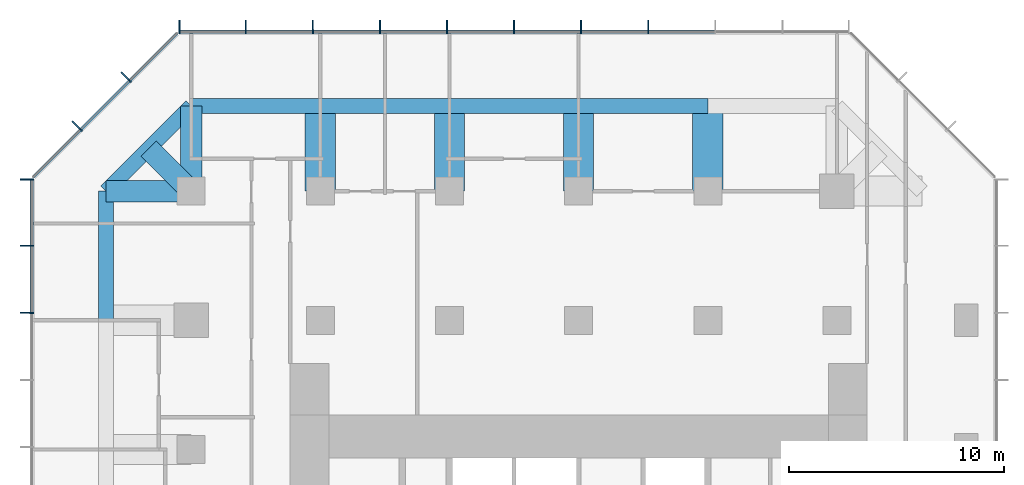
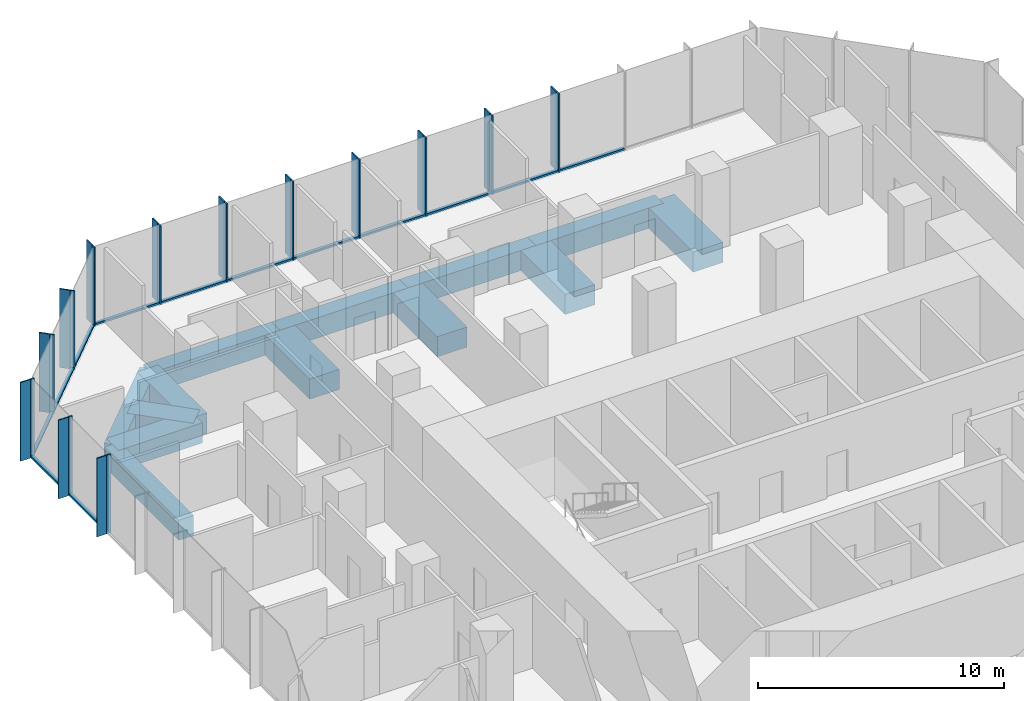
# One storey, part 5 of 11: 39 members, 13 beams, 3 elements without a shape of their own.
"""IFC4 building model written with IfcOpenShell, lengths in metres."""

from ifc_helpers import new_model, si_unit, direction, frame, origin, origin_2d, place, context, subcontext, project, spatial, rectangle, extrude, material, layer, layer_set, material_profile, profile_set, type_object, element, aggregate, save


model = new_model("IFC4")

# Units and contexts
model_context = context("Model", 3, precision=1e-05, world=origin(), true_north=direction((0.0, 1.0)))
body_context = subcontext(model_context, "Body", "Model", "MODEL_VIEW")
ifc_project = project(units=[si_unit("LENGTHUNIT", "METRE"), si_unit("AREAUNIT", "SQUARE_METRE"), si_unit("VOLUMEUNIT", "CUBIC_METRE"), si_unit("PLANEANGLEUNIT", "RADIAN"), si_unit("MASSUNIT", "GRAM", prefix="KILO")], contexts=[model_context])

# Site, building, storey
site_placement = place(None, origin())
site = spatial("IfcSite", under=ifc_project, at=site_placement, CompositionType="ELEMENT")
building_placement = place(site_placement, origin())
building = spatial("IfcBuilding", under=site, at=building_placement, Name="Highveld Stack Headquarters", CompositionType="ELEMENT")
storey_placement = place(building_placement, frame((0.0, 0.0, 200.60009765625)))
storey = spatial("IfcBuildingStorey", under=building, at=storey_placement, Name="L49", CompositionType="ELEMENT", Elevation=200.60009765625)

# Beams
ifc_material_1 = material(Name="Concrete C60/75", Category="concrete")
ifc_material_profile_1 = material_profile(ifc_material_1, rectangle(XDim=1.0, YDim=1.0, at=origin_2d()), Name="RC 1000x1000")
ifc_profile_set_1 = profile_set([ifc_material_profile_1], Name="Concrete C60/75")
beam_type_1 = type_object("IfcBeamType", Name="CANTILEVER RIB RC 1000x1000", PredefinedType="USERDEFINED", material=ifc_profile_set_1)
for number, where, z_axis, x_axis, name in (
    (1, (-12.0, 24.0, -0.75), (-1.0, 0.0, 0.0), (0.0, -1.0, 0.0), "Cantilever rib 4/J L49"),
    (2, (-12.0, 24.0, -0.75), (0.0, 1.0, 0.0), (-1.0, 0.0, 0.0), "Cantilever rib 4/J L49"),
):
    element("IfcBeam", number, at=place(storey_placement, frame(where, z_axis=z_axis, x_axis=x_axis)), inside=storey, type_object=beam_type_1, Name=name, ObjectType="CANTILEVER RIB", PredefinedType="USERDEFINED", context=body_context, shape_type="SweptSolid", body=[
        extrude(rectangle(XDim=1.0, YDim=1.0, at=origin_2d()), origin(), (0.0, 0.0, 1.0), 3.949951171875),
    ])
beam_1_placement = place(storey_placement, frame((-12.0, 24.0, -0.75), z_axis=(-0.707106781187, 0.707106781187, 0.0), x_axis=(-0.707106781187, -0.707106781187, 0.0)))
element("IfcBeam", 3, at=beam_1_placement, inside=storey, type_object=beam_type_1, Name="Cantilever rib 4/J L49", ObjectType="CANTILEVER RIB", PredefinedType="USERDEFINED", context=body_context, shape_type="SweptSolid", body=[
    extrude(rectangle(XDim=1.0, YDim=1.0, at=origin_2d()), origin(), (0.0, 0.0, 1.0), 2.793212890625),
])
ifc_material_2 = material(Name="Concrete C60/75", Category="concrete")
ifc_material_profile_2 = material_profile(ifc_material_2, rectangle(XDim=1.39990234375, YDim=1.0, at=origin_2d()), Name="RC 1400x1000")
ifc_profile_set_2 = profile_set([ifc_material_profile_2], Name="Concrete C60/75")
beam_type_2 = type_object("IfcBeamType", Name="CANTILEVER RIB RC 1400x1000", PredefinedType="USERDEFINED", material=ifc_profile_set_2)
for number, where, z_axis, x_axis, name in (
    (4, (-6.0, 24.0, -0.75), (0.0, 1.0, 0.0), (-1.0, 0.0, 0.0), "Cantilever rib 5/J L49"),
    (5, (0.0, 24.0, -0.75), (0.0, 1.0, 0.0), (-1.0, 0.0, 0.0), "Cantilever rib 6/J L49"),
    (6, (6.0, 24.0, -0.75), (0.0, 1.0, 0.0), (-1.0, 0.0, 0.0), "Cantilever rib 7/J L49"),
    (7, (12.0, 24.0, -0.75), (0.0, 1.0, 0.0), (-1.0, 0.0, 0.0), "Cantilever rib 8/J L49"),
):
    element("IfcBeam", number, at=place(storey_placement, frame(where, z_axis=z_axis, x_axis=x_axis)), inside=storey, type_object=beam_type_2, Name=name, ObjectType="CANTILEVER RIB", PredefinedType="USERDEFINED", context=body_context, shape_type="SweptSolid", body=[
        extrude(rectangle(XDim=1.39990234375, YDim=1.0, at=origin_2d()), origin(), (0.0, 0.0, 1.0), 3.949951171875),
    ])

# Curtain wall, members
ifc_material_3 = material(Name="Aluminium bronze anodised", Category="aluminium")
ifc_layer_1 = layer(ifc_material_3, 0.199951171875)
ifc_layer_set_1 = layer_set([ifc_layer_1], Name="Aluminium bronze anodised")
curtain_wall_type_1 = type_object("IfcCurtainWallType", Name="CW1 TOWER UNITISED CURTAIN WALL", PredefinedType="NOTDEFINED", material=ifc_layer_set_1)
curtain_wall_1_placement = place(storey_placement, origin())
curtain_wall_1 = element("IfcCurtainWall", 8, at=curtain_wall_1_placement, inside=storey, type_object=curtain_wall_type_1, Name="Curtain wall CW1 L49 N", PredefinedType="NOTDEFINED")
ifc_material_4 = material(Name="Aluminium bronze anodised", Category="aluminium")
ifc_material_profile_3 = material_profile(ifc_material_4, rectangle(XDim=0.449951171875, YDim=0.06005859375, at=origin_2d()), Name="FIN 450x60")
ifc_profile_set_3 = profile_set([ifc_material_profile_3], Name="Aluminium bronze anodised")
member_type_1 = type_object("IfcMemberType", Name="CW1 BRONZE FIN 450x60", PredefinedType="USERDEFINED", material=ifc_profile_set_3)
member_1_placement = place(storey_placement, frame((9.23193359375, 31.72509765625, 0.0), z_axis=(0.0, 0.0, 1.0), x_axis=(0.0, -1.0, 0.0)))
member_1 = element("IfcMember", 9, at=member_1_placement, type_object=member_type_1, Name="CW1 fin L49 4", ObjectType="FIN", PredefinedType="USERDEFINED", context=body_context, shape_type="SweptSolid", body=[
    extrude(rectangle(XDim=0.449951171875, YDim=0.06005859375, at=origin_2d()), origin(), (0.0, 0.0, 1.0), 3.89990234375),
])
member_2_placement = place(storey_placement, frame((6.115966796875, 31.72509765625, 0.0), z_axis=(0.0, 0.0, 1.0), x_axis=(0.0, -1.0, 0.0)))
member_2 = element("IfcMember", 10, at=member_2_placement, type_object=member_type_1, Name="CW1 fin L49 5", ObjectType="FIN", PredefinedType="USERDEFINED", context=body_context, shape_type="SweptSolid", body=[
    extrude(rectangle(XDim=0.449951171875, YDim=0.06005859375, at=origin_2d()), origin(), (0.0, 0.0, 1.0), 3.89990234375),
])
member_3_placement = place(storey_placement, frame((3.0, 31.72509765625, 0.0), z_axis=(0.0, 0.0, 1.0), x_axis=(0.0, -1.0, 0.0)))
member_3 = element("IfcMember", 11, at=member_3_placement, type_object=member_type_1, Name="CW1 fin L49 6", ObjectType="FIN", PredefinedType="USERDEFINED", context=body_context, shape_type="SweptSolid", body=[
    extrude(rectangle(XDim=0.449951171875, YDim=0.06005859375, at=origin_2d()), origin(), (0.0, 0.0, 1.0), 3.89990234375),
])
member_4_placement = place(storey_placement, frame((-0.115966796875, 31.72509765625, 0.0), z_axis=(0.0, 0.0, 1.0), x_axis=(0.0, -1.0, 0.0)))
member_4 = element("IfcMember", 12, at=member_4_placement, type_object=member_type_1, Name="CW1 fin L49 7", ObjectType="FIN", PredefinedType="USERDEFINED", context=body_context, shape_type="SweptSolid", body=[
    extrude(rectangle(XDim=0.449951171875, YDim=0.06005859375, at=origin_2d()), origin(), (0.0, 0.0, 1.0), 3.89990234375),
])
member_5_placement = place(storey_placement, frame((-3.23193359375, 31.72509765625, 0.0), z_axis=(0.0, 0.0, 1.0), x_axis=(0.0, -1.0, 0.0)))
member_5 = element("IfcMember", 13, at=member_5_placement, type_object=member_type_1, Name="CW1 fin L49 8", ObjectType="FIN", PredefinedType="USERDEFINED", context=body_context, shape_type="SweptSolid", body=[
    extrude(rectangle(XDim=0.449951171875, YDim=0.06005859375, at=origin_2d()), origin(), (0.0, 0.0, 1.0), 3.89990234375),
])
member_6_placement = place(storey_placement, frame((-6.347900390625, 31.72509765625, 0.0), z_axis=(0.0, 0.0, 1.0), x_axis=(0.0, -1.0, 0.0)))
member_6 = element("IfcMember", 14, at=member_6_placement, type_object=member_type_1, Name="CW1 fin L49 9", ObjectType="FIN", PredefinedType="USERDEFINED", context=body_context, shape_type="SweptSolid", body=[
    extrude(rectangle(XDim=0.449951171875, YDim=0.06005859375, at=origin_2d()), origin(), (0.0, 0.0, 1.0), 3.89990234375),
])
member_7_placement = place(storey_placement, frame((-9.4638671875, 31.72509765625, 0.0), z_axis=(0.0, 0.0, 1.0), x_axis=(0.0, -1.0, 0.0)))
member_7 = element("IfcMember", 15, at=member_7_placement, type_object=member_type_1, Name="CW1 fin L49 10", ObjectType="FIN", PredefinedType="USERDEFINED", context=body_context, shape_type="SweptSolid", body=[
    extrude(rectangle(XDim=0.449951171875, YDim=0.06005859375, at=origin_2d()), origin(), (0.0, 0.0, 1.0), 3.89990234375),
])
member_8_placement = place(storey_placement, frame((-12.54736328125, 31.72509765625, 0.0), z_axis=(0.0, 0.0, 1.0), x_axis=(0.0, -1.0, 0.0)))
member_8 = element("IfcMember", 16, at=member_8_placement, type_object=member_type_1, Name="CW1 fin L49 11", ObjectType="FIN", PredefinedType="USERDEFINED", context=body_context, shape_type="SweptSolid", body=[
    extrude(rectangle(XDim=0.449951171875, YDim=0.06005859375, at=origin_2d()), origin(), (0.0, 0.0, 1.0), 3.89990234375),
])

curtain_wall_2_placement = place(storey_placement, origin())
curtain_wall_2 = element("IfcCurtainWall", 17, at=curtain_wall_2_placement, inside=storey, type_object=curtain_wall_type_1, Name="Curtain wall CW1 L49 W", PredefinedType="NOTDEFINED")
member_9_placement = place(storey_placement, frame((-19.72509765625, 24.54736328125, 0.0), z_axis=(0.0, 0.0, 1.0), x_axis=(1.0, 0.0, 0.0)))
member_9 = element("IfcMember", 18, at=member_9_placement, type_object=member_type_1, Name="CW1 fin L49 1", ObjectType="FIN", PredefinedType="USERDEFINED", context=body_context, shape_type="SweptSolid", body=[
    extrude(rectangle(XDim=0.449951171875, YDim=0.06005859375, at=origin_2d()), origin(), (0.0, 0.0, 1.0), 3.89990234375),
])
member_10_placement = place(storey_placement, frame((-19.72509765625, 21.4638671875, 0.0), z_axis=(0.0, 0.0, 1.0), x_axis=(1.0, 0.0, 0.0)))
member_10 = element("IfcMember", 19, at=member_10_placement, type_object=member_type_1, Name="CW1 fin L49 2", ObjectType="FIN", PredefinedType="USERDEFINED", context=body_context, shape_type="SweptSolid", body=[
    extrude(rectangle(XDim=0.449951171875, YDim=0.06005859375, at=origin_2d()), origin(), (0.0, 0.0, 1.0), 3.89990234375),
])
member_11_placement = place(storey_placement, frame((-19.72509765625, 18.347900390625, 0.0), z_axis=(0.0, 0.0, 1.0), x_axis=(1.0, 0.0, 0.0)))
member_11 = element("IfcMember", 20, at=member_11_placement, type_object=member_type_1, Name="CW1 fin L49 3", ObjectType="FIN", PredefinedType="USERDEFINED", context=body_context, shape_type="SweptSolid", body=[
    extrude(rectangle(XDim=0.449951171875, YDim=0.06005859375, at=origin_2d()), origin(), (0.0, 0.0, 1.0), 3.89990234375),
])

# Member
ifc_material_5 = material(Name="Aluminium bronze anodised", Category="aluminium")
ifc_material_profile_4 = material_profile(ifc_material_5, rectangle(XDim=0.199951171875, YDim=0.06494140625, at=origin_2d()), Name="CW1 MULLION 65x200")
ifc_profile_set_4 = profile_set([ifc_material_profile_4], Name="Aluminium bronze anodised")
member_type_2 = type_object("IfcMemberType", Name="CW1 MULLION 65x200", PredefinedType="MULLION", material=ifc_profile_set_4)
member_12_placement = place(storey_placement, frame((9.23193359375, 31.39990234375, 0.0), z_axis=(0.0, 0.0, 1.0), x_axis=(0.0, -1.0, 0.0)))
member_12 = element("IfcMember", 21, at=member_12_placement, type_object=member_type_2, Name="CW1 mullion L49 4", PredefinedType="MULLION", context=body_context, shape_type="SweptSolid", body=[
    extrude(rectangle(XDim=0.199951171875, YDim=0.06494140625, at=origin_2d()), origin(), (0.0, 0.0, 1.0), 3.89990234375),
])

member_13_placement = place(storey_placement, frame((6.115966796875, 31.39990234375, 0.0), z_axis=(0.0, 0.0, 1.0), x_axis=(0.0, -1.0, 0.0)))
member_13 = element("IfcMember", 22, at=member_13_placement, type_object=member_type_2, Name="CW1 mullion L49 5", PredefinedType="MULLION", context=body_context, shape_type="SweptSolid", body=[
    extrude(rectangle(XDim=0.199951171875, YDim=0.06494140625, at=origin_2d()), origin(), (0.0, 0.0, 1.0), 3.89990234375),
])

member_14_placement = place(storey_placement, frame((3.0, 31.39990234375, 0.0), z_axis=(0.0, 0.0, 1.0), x_axis=(0.0, -1.0, 0.0)))
member_14 = element("IfcMember", 23, at=member_14_placement, type_object=member_type_2, Name="CW1 mullion L49 6", PredefinedType="MULLION", context=body_context, shape_type="SweptSolid", body=[
    extrude(rectangle(XDim=0.199951171875, YDim=0.06494140625, at=origin_2d()), origin(), (0.0, 0.0, 1.0), 3.89990234375),
])

member_15_placement = place(storey_placement, frame((-0.115966796875, 31.39990234375, 0.0), z_axis=(0.0, 0.0, 1.0), x_axis=(0.0, -1.0, 0.0)))
member_15 = element("IfcMember", 24, at=member_15_placement, type_object=member_type_2, Name="CW1 mullion L49 7", PredefinedType="MULLION", context=body_context, shape_type="SweptSolid", body=[
    extrude(rectangle(XDim=0.199951171875, YDim=0.06494140625, at=origin_2d()), origin(), (0.0, 0.0, 1.0), 3.89990234375),
])

member_16_placement = place(storey_placement, frame((-3.23193359375, 31.39990234375, 0.0), z_axis=(0.0, 0.0, 1.0), x_axis=(0.0, -1.0, 0.0)))
member_16 = element("IfcMember", 25, at=member_16_placement, type_object=member_type_2, Name="CW1 mullion L49 8", PredefinedType="MULLION", context=body_context, shape_type="SweptSolid", body=[
    extrude(rectangle(XDim=0.199951171875, YDim=0.06494140625, at=origin_2d()), origin(), (0.0, 0.0, 1.0), 3.89990234375),
])

member_17_placement = place(storey_placement, frame((-6.347900390625, 31.39990234375, 0.0), z_axis=(0.0, 0.0, 1.0), x_axis=(0.0, -1.0, 0.0)))
member_17 = element("IfcMember", 26, at=member_17_placement, type_object=member_type_2, Name="CW1 mullion L49 9", PredefinedType="MULLION", context=body_context, shape_type="SweptSolid", body=[
    extrude(rectangle(XDim=0.199951171875, YDim=0.06494140625, at=origin_2d()), origin(), (0.0, 0.0, 1.0), 3.89990234375),
])

member_18_placement = place(storey_placement, frame((-9.4638671875, 31.39990234375, 0.0), z_axis=(0.0, 0.0, 1.0), x_axis=(0.0, -1.0, 0.0)))
member_18 = element("IfcMember", 27, at=member_18_placement, type_object=member_type_2, Name="CW1 mullion L49 10", PredefinedType="MULLION", context=body_context, shape_type="SweptSolid", body=[
    extrude(rectangle(XDim=0.199951171875, YDim=0.06494140625, at=origin_2d()), origin(), (0.0, 0.0, 1.0), 3.89990234375),
])

member_19_placement = place(storey_placement, frame((-12.54736328125, 31.39990234375, 0.0), z_axis=(0.0, 0.0, 1.0), x_axis=(0.0, -1.0, 0.0)))
member_19 = element("IfcMember", 28, at=member_19_placement, type_object=member_type_2, Name="CW1 mullion L49 11", PredefinedType="MULLION", context=body_context, shape_type="SweptSolid", body=[
    extrude(rectangle(XDim=0.199951171875, YDim=0.06494140625, at=origin_2d()), origin(), (0.0, 0.0, 1.0), 3.89990234375),
])

member_20_placement = place(storey_placement, frame((-19.39990234375, 24.54736328125, 0.0), z_axis=(0.0, 0.0, 1.0), x_axis=(1.0, 0.0, 0.0)))
member_20 = element("IfcMember", 29, at=member_20_placement, type_object=member_type_2, Name="CW1 mullion L49 1", PredefinedType="MULLION", context=body_context, shape_type="SweptSolid", body=[
    extrude(rectangle(XDim=0.199951171875, YDim=0.06494140625, at=origin_2d()), origin(), (0.0, 0.0, 1.0), 3.89990234375),
])

member_21_placement = place(storey_placement, frame((-19.39990234375, 21.4638671875, 0.0), z_axis=(0.0, 0.0, 1.0), x_axis=(1.0, 0.0, 0.0)))
member_21 = element("IfcMember", 30, at=member_21_placement, type_object=member_type_2, Name="CW1 mullion L49 2", PredefinedType="MULLION", context=body_context, shape_type="SweptSolid", body=[
    extrude(rectangle(XDim=0.199951171875, YDim=0.06494140625, at=origin_2d()), origin(), (0.0, 0.0, 1.0), 3.89990234375),
])

member_22_placement = place(storey_placement, frame((-19.39990234375, 18.347900390625, 0.0), z_axis=(0.0, 0.0, 1.0), x_axis=(1.0, 0.0, 0.0)))
member_22 = element("IfcMember", 31, at=member_22_placement, type_object=member_type_2, Name="CW1 mullion L49 3", PredefinedType="MULLION", context=body_context, shape_type="SweptSolid", body=[
    extrude(rectangle(XDim=0.199951171875, YDim=0.06494140625, at=origin_2d()), origin(), (0.0, 0.0, 1.0), 3.89990234375),
])

ifc_material_6 = material(Name="Aluminium bronze anodised", Category="aluminium")
ifc_material_profile_5 = material_profile(ifc_material_6, rectangle(XDim=0.14990234375, YDim=0.10009765625, at=origin_2d()), Name="CW1 TRANSOM 150x100")
ifc_profile_set_5 = profile_set([ifc_material_profile_5], Name="Aluminium bronze anodised")
member_type_3 = type_object("IfcMemberType", Name="CW1 STACK TRANSOM 150x100", PredefinedType="USERDEFINED", material=ifc_profile_set_5)
member_23_placement = place(storey_placement, frame((12.3154296875, 31.39990234375, 0.0498046875), z_axis=(-1.0, 0.0, 0.0), x_axis=(0.0, -1.0, 0.0)))
member_23 = element("IfcMember", 32, at=member_23_placement, type_object=member_type_3, Name="CW1 transom L49 3.1", ObjectType="TRANSOM", PredefinedType="USERDEFINED", context=body_context, shape_type="SweptSolid", body=[
    extrude(rectangle(XDim=0.14990234375, YDim=0.10009765625, at=origin_2d()), origin(), (0.0, 0.0, 1.0), 3.051025390625),
])

member_24_placement = place(storey_placement, frame((9.199462890625, 31.39990234375, 0.0498046875), z_axis=(-1.0, 0.0, 0.0), x_axis=(0.0, -1.0, 0.0)))
member_24 = element("IfcMember", 33, at=member_24_placement, type_object=member_type_3, Name="CW1 transom L49 4.1", ObjectType="TRANSOM", PredefinedType="USERDEFINED", context=body_context, shape_type="SweptSolid", body=[
    extrude(rectangle(XDim=0.14990234375, YDim=0.10009765625, at=origin_2d()), origin(), (0.0, 0.0, 1.0), 3.051025390625),
])

member_25_placement = place(storey_placement, frame((6.08349609375, 31.39990234375, 0.0498046875), z_axis=(-1.0, 0.0, 0.0), x_axis=(0.0, -1.0, 0.0)))
member_25 = element("IfcMember", 34, at=member_25_placement, type_object=member_type_3, Name="CW1 transom L49 5.1", ObjectType="TRANSOM", PredefinedType="USERDEFINED", context=body_context, shape_type="SweptSolid", body=[
    extrude(rectangle(XDim=0.14990234375, YDim=0.10009765625, at=origin_2d()), origin(), (0.0, 0.0, 1.0), 3.051025390625),
])

member_26_placement = place(storey_placement, frame((2.967529296875, 31.39990234375, 0.0498046875), z_axis=(-1.0, 0.0, 0.0), x_axis=(0.0, -1.0, 0.0)))
member_26 = element("IfcMember", 35, at=member_26_placement, type_object=member_type_3, Name="CW1 transom L49 6.1", ObjectType="TRANSOM", PredefinedType="USERDEFINED", context=body_context, shape_type="SweptSolid", body=[
    extrude(rectangle(XDim=0.14990234375, YDim=0.10009765625, at=origin_2d()), origin(), (0.0, 0.0, 1.0), 3.051025390625),
])

member_27_placement = place(storey_placement, frame((-0.1484375, 31.39990234375, 0.0498046875), z_axis=(-1.0, 0.0, 0.0), x_axis=(0.0, -1.0, 0.0)))
member_27 = element("IfcMember", 36, at=member_27_placement, type_object=member_type_3, Name="CW1 transom L49 7.1", ObjectType="TRANSOM", PredefinedType="USERDEFINED", context=body_context, shape_type="SweptSolid", body=[
    extrude(rectangle(XDim=0.14990234375, YDim=0.10009765625, at=origin_2d()), origin(), (0.0, 0.0, 1.0), 3.051025390625),
])

member_28_placement = place(storey_placement, frame((-3.264404296875, 31.39990234375, 0.0498046875), z_axis=(-1.0, 0.0, 0.0), x_axis=(0.0, -1.0, 0.0)))
member_28 = element("IfcMember", 37, at=member_28_placement, type_object=member_type_3, Name="CW1 transom L49 8.1", ObjectType="TRANSOM", PredefinedType="USERDEFINED", context=body_context, shape_type="SweptSolid", body=[
    extrude(rectangle(XDim=0.14990234375, YDim=0.10009765625, at=origin_2d()), origin(), (0.0, 0.0, 1.0), 3.051025390625),
])

member_29_placement = place(storey_placement, frame((-6.38037109375, 31.39990234375, 0.0498046875), z_axis=(-1.0, 0.0, 0.0), x_axis=(0.0, -1.0, 0.0)))
member_29 = element("IfcMember", 38, at=member_29_placement, type_object=member_type_3, Name="CW1 transom L49 9.1", ObjectType="TRANSOM", PredefinedType="USERDEFINED", context=body_context, shape_type="SweptSolid", body=[
    extrude(rectangle(XDim=0.14990234375, YDim=0.10009765625, at=origin_2d()), origin(), (0.0, 0.0, 1.0), 3.051025390625),
])

member_30_placement = place(storey_placement, frame((-9.496337890625, 31.39990234375, 0.0498046875), z_axis=(-1.0, 0.0, 0.0), x_axis=(0.0, -1.0, 0.0)))
member_30 = element("IfcMember", 39, at=member_30_placement, type_object=member_type_3, Name="CW1 transom L49 10.1", ObjectType="TRANSOM", PredefinedType="USERDEFINED", context=body_context, shape_type="SweptSolid", body=[
    extrude(rectangle(XDim=0.14990234375, YDim=0.10009765625, at=origin_2d()), origin(), (0.0, 0.0, 1.0), 3.0185546875),
])

aggregate(curtain_wall_1, [member_12, member_1, member_13, member_2, member_14, member_3, member_15, member_4, member_16, member_5, member_17, member_6, member_18, member_7, member_19, member_8, member_23, member_24, member_25, member_26, member_27, member_28, member_29, member_30])

member_31_placement = place(storey_placement, frame((-19.39990234375, 24.514892578125, 0.0498046875), z_axis=(0.0, -1.0, 0.0), x_axis=(1.0, 0.0, 0.0)))
member_31 = element("IfcMember", 40, at=member_31_placement, type_object=member_type_3, Name="CW1 transom L49 1.1", ObjectType="TRANSOM", PredefinedType="USERDEFINED", context=body_context, shape_type="SweptSolid", body=[
    extrude(rectangle(XDim=0.14990234375, YDim=0.10009765625, at=origin_2d()), origin(), (0.0, 0.0, 1.0), 3.0185546875),
])

member_32_placement = place(storey_placement, frame((-19.39990234375, 21.431396484375, 0.0498046875), z_axis=(0.0, -1.0, 0.0), x_axis=(1.0, 0.0, 0.0)))
member_32 = element("IfcMember", 41, at=member_32_placement, type_object=member_type_3, Name="CW1 transom L49 2.1", ObjectType="TRANSOM", PredefinedType="USERDEFINED", context=body_context, shape_type="SweptSolid", body=[
    extrude(rectangle(XDim=0.14990234375, YDim=0.10009765625, at=origin_2d()), origin(), (0.0, 0.0, 1.0), 3.051025390625),
])

aggregate(curtain_wall_2, [member_20, member_9, member_21, member_10, member_22, member_11, member_31, member_32])

# Curtain wall, members
ifc_material_7 = material(Name="Aluminium bronze anodised", Category="aluminium")
ifc_layer_2 = layer(ifc_material_7, 0.199951171875)
ifc_layer_set_2 = layer_set([ifc_layer_2], Name="Aluminium bronze anodised")
curtain_wall_type_2 = type_object("IfcCurtainWallType", Name="CW2 TOWER CHAMFER UNITISED CURTAIN WALL", PredefinedType="NOTDEFINED", material=ifc_layer_set_2)
curtain_wall_3_placement = place(storey_placement, origin())
curtain_wall_3 = element("IfcCurtainWall", 42, at=curtain_wall_3_placement, inside=storey, type_object=curtain_wall_type_2, Name="Curtain wall CW2 L49 NW", PredefinedType="NOTDEFINED")
ifc_material_8 = material(Name="Aluminium bronze anodised", Category="aluminium")
ifc_material_profile_6 = material_profile(ifc_material_8, rectangle(XDim=0.449951171875, YDim=0.06005859375, at=origin_2d()), Name="FIN 450x60")
ifc_profile_set_6 = profile_set([ifc_material_profile_6], Name="Aluminium bronze anodised")
member_type_4 = type_object("IfcMemberType", Name="CW2 BRONZE FIN 450x60", PredefinedType="USERDEFINED", material=ifc_profile_set_6)
member_33_placement = place(storey_placement, frame((-15.0830078125, 29.3564453125, 0.0), z_axis=(0.0, 0.0, 1.0), x_axis=(0.707106781187, -0.707106781187, 0.0)))
member_33 = element("IfcMember", 43, at=member_33_placement, type_object=member_type_4, Name="CW2 fin L49 1", ObjectType="FIN", PredefinedType="USERDEFINED", context=body_context, shape_type="SweptSolid", body=[
    extrude(rectangle(XDim=0.449951171875, YDim=0.06005859375, at=origin_2d()), origin(), (0.0, 0.0, 1.0), 3.89990234375),
])
member_34_placement = place(storey_placement, frame((-17.3564453125, 27.0830078125, 0.0), z_axis=(0.0, 0.0, 1.0), x_axis=(0.707106781187, -0.707106781187, 0.0)))
member_34 = element("IfcMember", 44, at=member_34_placement, type_object=member_type_4, Name="CW2 fin L49 2", ObjectType="FIN", PredefinedType="USERDEFINED", context=body_context, shape_type="SweptSolid", body=[
    extrude(rectangle(XDim=0.449951171875, YDim=0.06005859375, at=origin_2d()), origin(), (0.0, 0.0, 1.0), 3.89990234375),
])
ifc_material_9 = material(Name="Aluminium bronze anodised", Category="aluminium")
ifc_material_profile_7 = material_profile(ifc_material_9, rectangle(XDim=0.199951171875, YDim=0.06494140625, at=origin_2d()), Name="CW2 MULLION 65x200")
ifc_profile_set_7 = profile_set([ifc_material_profile_7], Name="Aluminium bronze anodised")
member_type_5 = type_object("IfcMemberType", Name="CW2 MULLION 65x200", PredefinedType="MULLION", material=ifc_profile_set_7)
member_35_placement = place(storey_placement, frame((-14.853271484375, 29.126708984375, 0.0), z_axis=(0.0, 0.0, 1.0), x_axis=(0.707106781187, -0.707106781187, 0.0)))
member_35 = element("IfcMember", 45, at=member_35_placement, type_object=member_type_5, Name="CW2 mullion L49 1", PredefinedType="MULLION", context=body_context, shape_type="SweptSolid", body=[
    extrude(rectangle(XDim=0.199951171875, YDim=0.06494140625, at=origin_2d()), origin(), (0.0, 0.0, 1.0), 3.89990234375),
])
member_36_placement = place(storey_placement, frame((-17.126708984375, 26.853271484375, 0.0), z_axis=(0.0, 0.0, 1.0), x_axis=(0.707106781187, -0.707106781187, 0.0)))
member_36 = element("IfcMember", 46, at=member_36_placement, type_object=member_type_5, Name="CW2 mullion L49 2", PredefinedType="MULLION", context=body_context, shape_type="SweptSolid", body=[
    extrude(rectangle(XDim=0.199951171875, YDim=0.06494140625, at=origin_2d()), origin(), (0.0, 0.0, 1.0), 3.89990234375),
])
ifc_material_10 = material(Name="Aluminium bronze anodised", Category="aluminium")
ifc_material_profile_8 = material_profile(ifc_material_10, rectangle(XDim=0.14990234375, YDim=0.10009765625, at=origin_2d()), Name="CW2 TRANSOM 150x100")
ifc_profile_set_8 = profile_set([ifc_material_profile_8], Name="Aluminium bronze anodised")
member_type_6 = type_object("IfcMemberType", Name="CW2 STACK TRANSOM 150x100", PredefinedType="USERDEFINED", material=ifc_profile_set_8)
member_37_placement = place(storey_placement, frame((-12.650634765625, 31.329345703125, 0.0498046875), z_axis=(-0.707106781187, -0.707106781187, 0.0), x_axis=(0.707106781187, -0.707106781187, 0.0)))
member_37 = element("IfcMember", 47, at=member_37_placement, type_object=member_type_6, Name="CW2 transom L49 1.1", ObjectType="TRANSOM", PredefinedType="USERDEFINED", context=body_context, shape_type="SweptSolid", body=[
    extrude(rectangle(XDim=0.14990234375, YDim=0.10009765625, at=origin_2d()), origin(), (0.0, 0.0, 1.0), 3.08251953125),
])
member_38_placement = place(storey_placement, frame((-14.876220703125, 29.103759765625, 0.0498046875), z_axis=(-0.707106781187, -0.707106781187, 0.0), x_axis=(0.707106781187, -0.707106781187, 0.0)))
member_38 = element("IfcMember", 48, at=member_38_placement, type_object=member_type_6, Name="CW2 transom L49 2.1", ObjectType="TRANSOM", PredefinedType="USERDEFINED", context=body_context, shape_type="SweptSolid", body=[
    extrude(rectangle(XDim=0.14990234375, YDim=0.10009765625, at=origin_2d()), origin(), (0.0, 0.0, 1.0), 3.150146484375),
])
member_39_placement = place(storey_placement, frame((-17.149658203125, 26.830322265625, 0.0498046875), z_axis=(-0.707106781187, -0.707106781187, 0.0), x_axis=(0.707106781187, -0.707106781187, 0.0)))
member_39 = element("IfcMember", 49, at=member_39_placement, type_object=member_type_6, Name="CW2 transom L49 3.1", ObjectType="TRANSOM", PredefinedType="USERDEFINED", context=body_context, shape_type="SweptSolid", body=[
    extrude(rectangle(XDim=0.14990234375, YDim=0.10009765625, at=origin_2d()), origin(), (0.0, 0.0, 1.0), 3.08251953125),
])
aggregate(curtain_wall_3, [member_35, member_33, member_36, member_34, member_37, member_38, member_39])

# Beams
ifc_material_11 = material(Name="Concrete C60/75", Category="concrete")
ifc_material_profile_9 = material_profile(ifc_material_11, rectangle(XDim=0.699951171875, YDim=1.0, at=origin_2d()), Name="RC 700x1000")
ifc_profile_set_9 = profile_set([ifc_material_profile_9], Name="Concrete C60/75")
beam_type_3 = type_object("IfcBeamType", Name="RIB TIP BEAM RC 700x1000", PredefinedType="SPANDREL", material=ifc_profile_set_9)
for number, where, z_axis, x_axis, name in (
    (50, (-15.949951171875, 18.0, -0.75), (0.0, 1.0, 0.0), (-1.0, 0.0, 0.0), "Rib tip beam 4/H to 4/J L49"),
    (51, (-12.0, 27.949951171875, -0.75), (1.0, 0.0, 0.0), (0.0, 1.0, 0.0), "Rib tip beam 4/J to 5/J L49"),
    (52, (-6.0, 27.949951171875, -0.75), (1.0, 0.0, 0.0), (0.0, 1.0, 0.0), "Rib tip beam 5/J to 6/J L49"),
    (53, (0.0, 27.949951171875, -0.75), (1.0, 0.0, 0.0), (0.0, 1.0, 0.0), "Rib tip beam 6/J to 7/J L49"),
    (54, (6.0, 27.949951171875, -0.75), (1.0, 0.0, 0.0), (0.0, 1.0, 0.0), "Rib tip beam 7/J to 8/J L49"),
):
    element("IfcBeam", number, at=place(storey_placement, frame(where, z_axis=z_axis, x_axis=x_axis)), inside=storey, type_object=beam_type_3, Name=name, PredefinedType="SPANDREL", context=body_context, shape_type="SweptSolid", body=[
        extrude(rectangle(XDim=0.699951171875, YDim=1.0, at=origin_2d()), origin(), (0.0, 0.0, 1.0), 6.0),
    ])
beam_2_placement = place(storey_placement, frame((-15.949951171875, 24.0, -0.75), z_axis=(0.707106781187, 0.707106781187, 0.0), x_axis=(-0.707106781187, 0.707106781187, 0.0)))
element("IfcBeam", 55, at=beam_2_placement, inside=storey, type_object=beam_type_3, Name="Rib tip beam 4/J corner L49", PredefinedType="SPANDREL", context=body_context, shape_type="SweptSolid", body=[
    extrude(rectangle(XDim=0.699951171875, YDim=1.0, at=origin_2d()), origin(), (0.0, 0.0, 1.0), 5.586181640625),
])

save(model, "model.ifc")
